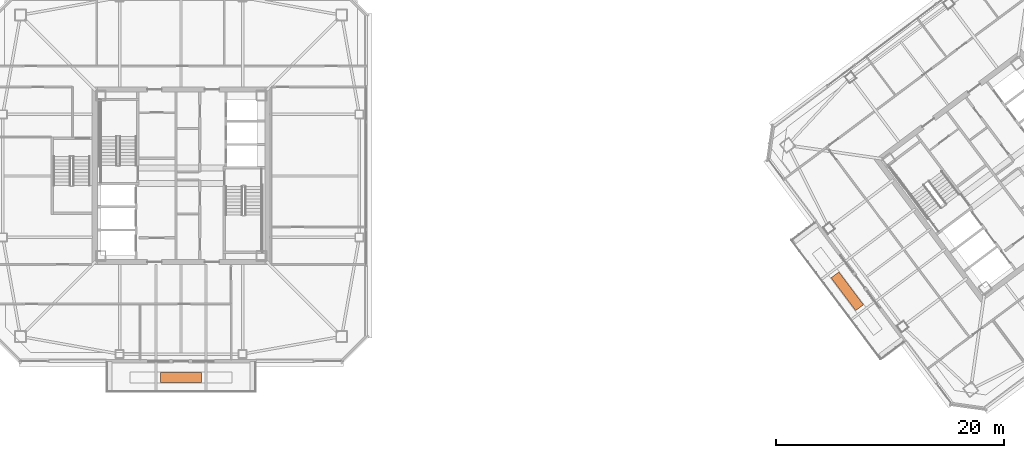
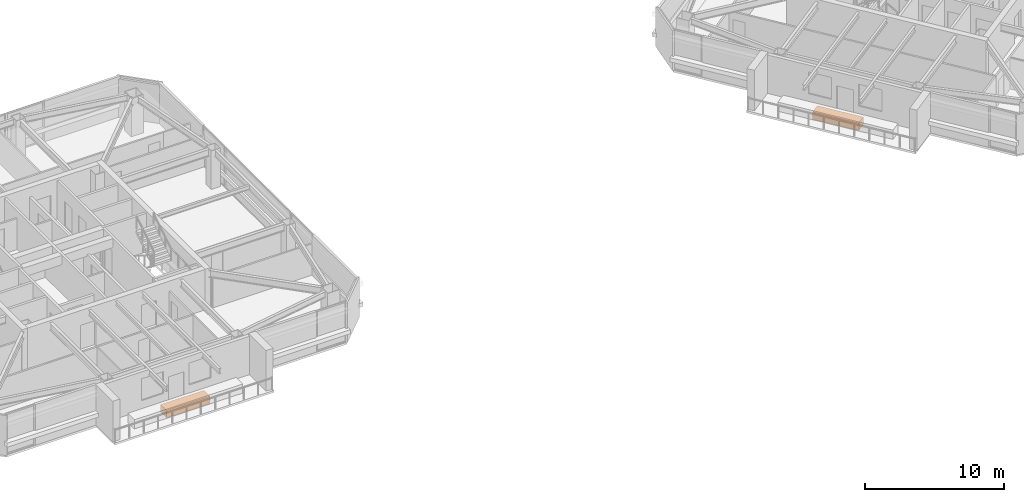
# One storey, part 40 of 40: 2 proxies.
"""IFC4 building model written with IfcOpenShell, lengths in metres."""

from ifc_helpers import new_model, si_unit, direction, frame, origin, origin_2d, place, context, subcontext, project, spatial, rectangle, extrude, material, type_object, element, save


model = new_model("IFC4")

# Units and contexts
model_context = context("Model", 3, precision=1e-05, world=origin(), true_north=direction((0.0, 1.0)))
body_context = subcontext(model_context, "Body", "Model", "MODEL_VIEW")
ifc_project = project(units=[si_unit("LENGTHUNIT", "METRE"), si_unit("AREAUNIT", "SQUARE_METRE"), si_unit("VOLUMEUNIT", "CUBIC_METRE"), si_unit("PLANEANGLEUNIT", "RADIAN"), si_unit("MASSUNIT", "GRAM", prefix="KILO")], contexts=[model_context])

# Site, building, storey
site_placement = place(None, origin())
site = spatial("IfcSite", under=ifc_project, at=site_placement, CompositionType="ELEMENT")
building_placement = place(site_placement, origin())
building = spatial("IfcBuilding", under=site, at=building_placement, Name="Tashvorn Skyway Center", CompositionType="ELEMENT")
storey_placement = place(building_placement, frame((0.0, 0.0, 221.949951171875)))
storey = spatial("IfcBuildingStorey", under=building, at=storey_placement, Name="L60", CompositionType="ELEMENT", Elevation=221.949951171875)

# Proxies
ifc_material = material(Name="Engineered Mojave xeriscape planter concrete C40/50", Category="concrete")
building_element_proxy_type = type_object("IfcBuildingElementProxyType", Name="FURN-PLANTER", PredefinedType="USERDEFINED", material=ifc_material)
for number, where, z_axis, x_axis, name in (
    (1, (42.0, 14.300048828125, 0.0), (0.0, 0.0, 1.0), (-1.0, 0.0, 0.0), "Tower 1 L60 Sky Garden Xeriscape PLANTER"),
    (2, (100.47998046875, 21.860107421875, 0.0), (0.0, 0.0, 1.0), (-0.600000004945, 0.799999996291, 0.0), "Tower 2 L60 Sky Garden Xeriscape PLANTER"),
):
    element("IfcBuildingElementProxy", number, at=place(storey_placement, frame(where, z_axis=z_axis, x_axis=x_axis)), inside=storey, type_object=building_element_proxy_type, Name=name, ObjectType="PLANTER", PredefinedType="USERDEFINED", context=body_context, shape_type="SweptSolid", body=[
        extrude(rectangle(XDim=3.60009765625, YDim=0.85009765625, at=origin_2d()), origin(), (0.0, 0.0, 1.0), 0.64990234375),
    ])

save(model, "model.ifc")
